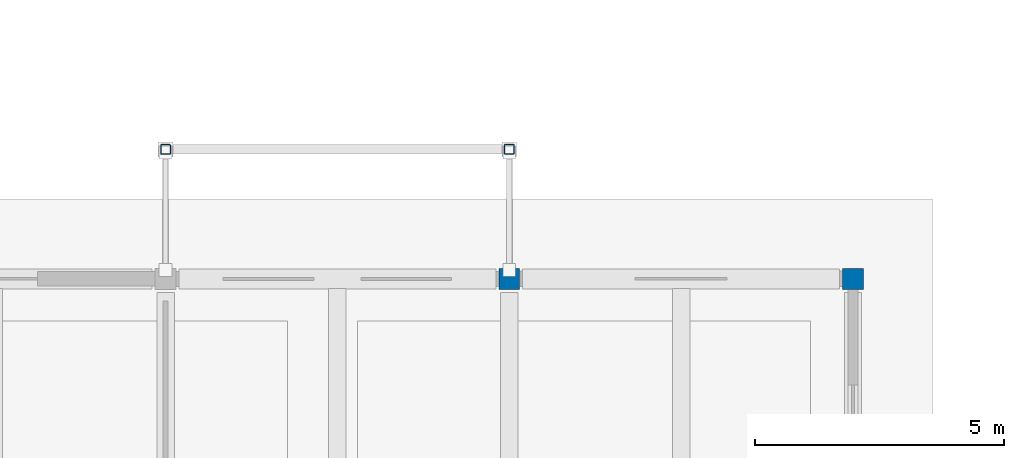
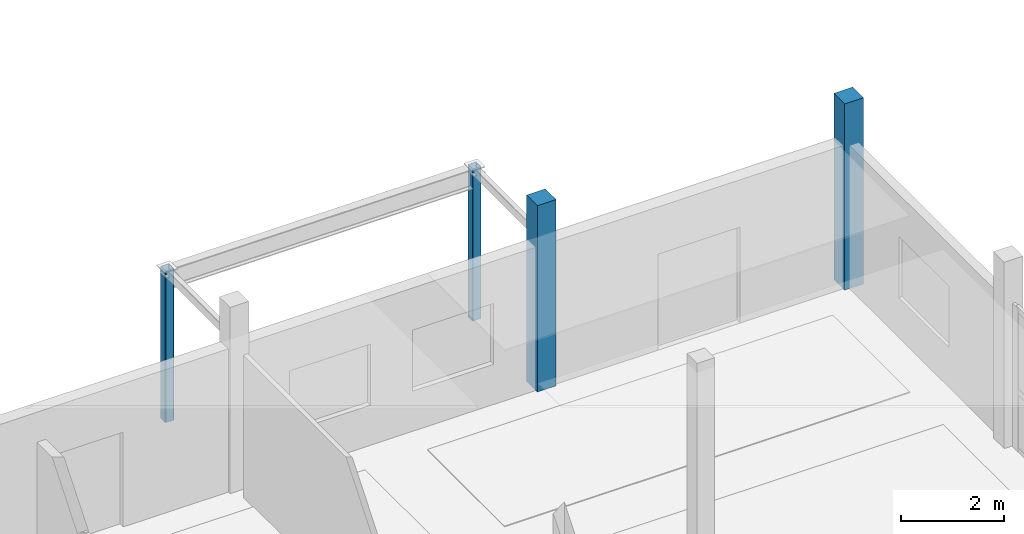
# One storey, part 18 of 92: 4 columns.
"""IFC4 building model written with IfcOpenShell, lengths in metres."""

from ifc_helpers import new_model, si_unit, direction, frame, origin, origin_2d, place, context, subcontext, project, spatial, rectangle, hollow_rectangle, extrude, material, material_profile, profile_set, type_object, element, save


model = new_model("IFC4")

# Units and contexts
model_context = context("Model", 3, precision=1e-05, world=origin(), true_north=direction((0.0, 1.0)))
body_context = subcontext(model_context, "Body", "Model", "MODEL_VIEW")
ifc_project = project(units=[si_unit("LENGTHUNIT", "METRE"), si_unit("AREAUNIT", "SQUARE_METRE"), si_unit("VOLUMEUNIT", "CUBIC_METRE"), si_unit("PLANEANGLEUNIT", "RADIAN"), si_unit("MASSUNIT", "GRAM", prefix="KILO")], contexts=[model_context])

# Site, building, storey
site_placement = place(None, origin())
site = spatial("IfcSite", under=ifc_project, at=site_placement, CompositionType="ELEMENT")
building_placement = place(site_placement, origin())
building = spatial("IfcBuilding", under=site, at=building_placement, Name="Caldaven Crescent School", CompositionType="ELEMENT")
storey_placement = place(building_placement, origin())
storey = spatial("IfcBuildingStorey", under=building, at=storey_placement, Name="L00", CompositionType="ELEMENT", Elevation=0.0)

# Columns
ifc_material_1 = material(Name="Glulam MLE24h (GL28h)", Category="wood")
ifc_material_profile_1 = material_profile(ifc_material_1, rectangle(XDim=0.419921875, YDim=0.419921875, at=origin_2d()), Name="MLE 420x420")
ifc_profile_set_1 = profile_set([ifc_material_profile_1], Name="Glulam MLE24h (GL28h)")
column_type_1 = type_object("IfcColumnType", Name="COL-GL42", PredefinedType="COLUMN", material=ifc_profile_set_1)
for number, where, z_axis, x_axis, name in (
    (1, (143.60009765625, 22.800048828125, 0.0), (0.0, 0.0, 1.0), (1.0, 0.0, 0.0), "COL-V3-L00-3-3"),
    (2, (150.5, 22.800048828125, 0.0), (0.0, 0.0, 1.0), (1.0, 0.0, 0.0), "COL-V3-L00-4-3"),
):
    element("IfcColumn", number, at=place(storey_placement, frame(where, z_axis=z_axis, x_axis=x_axis)), inside=storey, type_object=column_type_1, Name=name, PredefinedType="COLUMN", context=body_context, shape_type="SweptSolid", body=[
        extrude(rectangle(XDim=0.419921875, YDim=0.419921875, at=origin_2d()), origin(), (0.0, 0.0, 1.0), 4.419921875),
    ])
ifc_material_2 = material(Name="Steel ASTM A572 Grade 50", Category="steel")
ifc_material_profile_2 = material_profile(ifc_material_2, hollow_rectangle(XDim=0.199951171875, YDim=0.199951171875, WallThickness=0.010009765625, InnerFilletRadius=0.010009765625, OuterFilletRadius=0.02001953125, at=origin_2d()), Name="HSS 200x200x10")
ifc_profile_set_2 = profile_set([ifc_material_profile_2], Name="Steel ASTM A572 Grade 50")
column_type_2 = type_object("IfcColumnType", Name="COL-HS20", PredefinedType="COLUMN", material=ifc_profile_set_2)
for number, where, z_axis, x_axis, name in (
    (3, (136.699951171875, 25.39990234375, 0.0), (0.0, 0.0, 1.0), (1.0, 0.0, 0.0), "COL-CAN-1-W-L00"),
    (4, (143.60009765625, 25.39990234375, 0.0), (0.0, 0.0, 1.0), (1.0, 0.0, 0.0), "COL-CAN-1-E-L00"),
):
    element("IfcColumn", number, at=place(storey_placement, frame(where, z_axis=z_axis, x_axis=x_axis)), inside=storey, type_object=column_type_2, Name=name, PredefinedType="COLUMN", context=body_context, shape_type="SweptSolid", body=[
        extrude(hollow_rectangle(XDim=0.199951171875, YDim=0.199951171875, WallThickness=0.010009765625, InnerFilletRadius=0.010009765625, OuterFilletRadius=0.02001953125, at=origin_2d()), origin(), (0.0, 0.0, 1.0), 3.60009765625),
    ])

save(model, "model.ifc")
